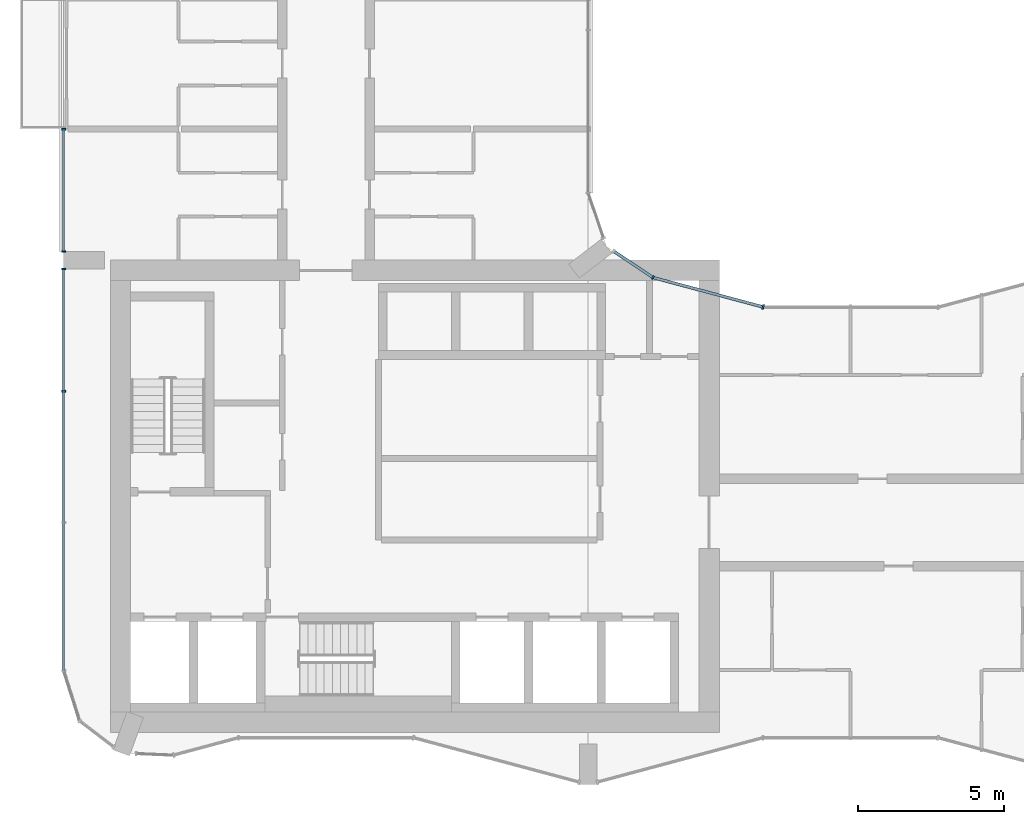
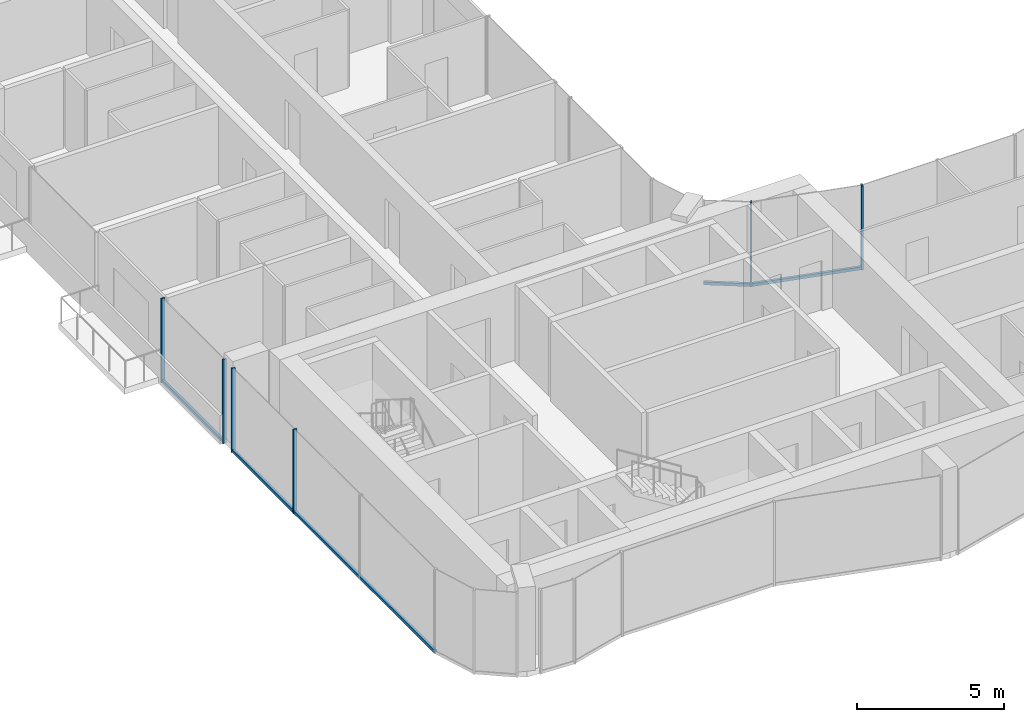
# One storey, part 3 of 23: 10 members, 4 elements without a shape of their own.
"""IFC4 building model written with IfcOpenShell, lengths in metres."""

from ifc_helpers import new_model, si_unit, direction, frame, origin, origin_2d, place, context, subcontext, project, spatial, rectangle, extrude, material, layer, layer_set, material_profile, profile_set, type_object, element, aggregate, save


model = new_model("IFC4")

# Units and contexts
model_context = context("Model", 3, precision=1e-05, world=origin(), true_north=direction((0.0, 1.0)))
body_context = subcontext(model_context, "Body", "Model", "MODEL_VIEW")
ifc_project = project(units=[si_unit("LENGTHUNIT", "METRE"), si_unit("AREAUNIT", "SQUARE_METRE"), si_unit("VOLUMEUNIT", "CUBIC_METRE"), si_unit("PLANEANGLEUNIT", "RADIAN"), si_unit("MASSUNIT", "GRAM", prefix="KILO")], contexts=[model_context])

# Site, building, storey
site_placement = place(None, origin())
site = spatial("IfcSite", under=ifc_project, at=site_placement, CompositionType="ELEMENT")
building_placement = place(site_placement, origin())
building = spatial("IfcBuilding", under=site, at=building_placement, Name="Plateau Cross Towers", CompositionType="ELEMENT")
storey_placement = place(building_placement, frame((0.0, 0.0, 92.300048828125)))
storey = spatial("IfcBuildingStorey", under=building, at=storey_placement, Name="L23", CompositionType="ELEMENT", Elevation=92.300048828125)

# Curtain wall, member
ifc_material_1 = material(Name="Dark low-iron glass", Category="glass")
ifc_layer_1 = layer(ifc_material_1, 0.239990234375)
ifc_layer_set_1 = layer_set([ifc_layer_1], Name="Dark low-iron glass")
curtain_wall_type_1 = type_object("IfcCurtainWallType", Name="Curtain wall flush unitised CW-B", PredefinedType="NOTDEFINED", material=ifc_layer_set_1)
curtain_wall_1_placement = place(storey_placement, origin())
curtain_wall_1 = element("IfcCurtainWall", 1, at=curtain_wall_1_placement, inside=storey, type_object=curtain_wall_type_1, Name="ENV/A/L23/A202_174", PredefinedType="NOTDEFINED")
ifc_material_2 = material(Name="Black anodised aluminium", Category="aluminium")
ifc_material_profile_1 = material_profile(ifc_material_2, rectangle(XDim=0.06005859375, YDim=0.139892578125, at=origin_2d()), Name="MULLION 60x140")
ifc_profile_set_1 = profile_set([ifc_material_profile_1], Name="Black anodised aluminium")
member_type_1 = type_object("IfcMemberType", Name="Mullion 60x140 flush unitised", PredefinedType="MULLION", material=ifc_profile_set_1)
member_1_placement = place(storey_placement, frame((20.223876953125, 17.404296875, -0.25), z_axis=(0.0, 0.0, 1.0), x_axis=(-0.831521253329, 0.555492938984, 0.0)))
member_1 = element("IfcMember", 2, at=member_1_placement, type_object=member_type_1, Name="CW-B mullion 1", PredefinedType="MULLION", context=body_context, shape_type="SweptSolid", body=[
    extrude(rectangle(XDim=0.06005859375, YDim=0.139892578125, at=origin_2d()), origin(), (0.0, 0.0, 1.0), 3.5),
])

# Curtain wall, members
curtain_wall_2_placement = place(storey_placement, origin())
curtain_wall_2 = element("IfcCurtainWall", 3, at=curtain_wall_2_placement, inside=storey, type_object=curtain_wall_type_1, Name="ENV/A/L23/A0_225", PredefinedType="NOTDEFINED")
member_2_placement = place(storey_placement, frame((0.0, 22.489990234375, -0.25), z_axis=(0.0, 0.0, 1.0), x_axis=(0.0, -1.0, 0.0)))
member_2 = element("IfcMember", 4, at=member_2_placement, type_object=member_type_1, Name="CW-B mullion 1", PredefinedType="MULLION", context=body_context, shape_type="SweptSolid", body=[
    extrude(rectangle(XDim=0.06005859375, YDim=0.139892578125, at=origin_2d()), origin(), (0.0, 0.0, 1.0), 3.5),
])
member_3_placement = place(storey_placement, frame((0.0, 18.300048828125, -0.25), z_axis=(0.0, 0.0, 1.0), x_axis=(0.0, -1.0, 0.0)))
member_3 = element("IfcMember", 5, at=member_3_placement, type_object=member_type_1, Name="CW-B mullion 2", PredefinedType="MULLION", context=body_context, shape_type="SweptSolid", body=[
    extrude(rectangle(XDim=0.06005859375, YDim=0.139892578125, at=origin_2d()), origin(), (0.0, 0.0, 1.0), 3.5),
])

curtain_wall_3_placement = place(storey_placement, origin())
curtain_wall_3 = element("IfcCurtainWall", 6, at=curtain_wall_3_placement, inside=storey, type_object=curtain_wall_type_1, Name="ENV/A/L23/A0_177", PredefinedType="NOTDEFINED")
member_4_placement = place(storey_placement, frame((0.0, 17.699951171875, -0.25), z_axis=(0.0, 0.0, 1.0), x_axis=(0.0, -1.0, 0.0)))
member_4 = element("IfcMember", 7, at=member_4_placement, type_object=member_type_1, Name="CW-B mullion 1", PredefinedType="MULLION", context=body_context, shape_type="SweptSolid", body=[
    extrude(rectangle(XDim=0.06005859375, YDim=0.139892578125, at=origin_2d()), origin(), (0.0, 0.0, 1.0), 3.5),
])
member_5_placement = place(storey_placement, frame((0.0, 13.5, -0.25), z_axis=(0.0, 0.0, 1.0), x_axis=(0.0, -1.0, 0.0)))
member_5 = element("IfcMember", 8, at=member_5_placement, type_object=member_type_1, Name="CW-B mullion 2", PredefinedType="MULLION", context=body_context, shape_type="SweptSolid", body=[
    extrude(rectangle(XDim=0.06005859375, YDim=0.139892578125, at=origin_2d()), origin(), (0.0, 0.0, 1.0), 3.5),
])

# Curtain wall, member
ifc_layer_2 = layer(ifc_material_1, 0.260009765625)
ifc_layer_set_2 = layer_set([ifc_layer_2], Name="Dark low-iron glass")
curtain_wall_type_2 = type_object("IfcCurtainWallType", Name="Curtain wall fluted unitised CW-A", PredefinedType="NOTDEFINED", material=ifc_layer_set_2)
curtain_wall_4_placement = place(storey_placement, origin())
curtain_wall_4 = element("IfcCurtainWall", 9, at=curtain_wall_4_placement, inside=storey, type_object=curtain_wall_type_2, Name="ENV/A/L23/A240_164", PredefinedType="NOTDEFINED")
ifc_material_profile_2 = material_profile(ifc_material_2, rectangle(XDim=0.06005859375, YDim=0.159912109375, at=origin_2d()), Name="MULLION 60x160")
ifc_profile_set_2 = profile_set([ifc_material_profile_2], Name="Black anodised aluminium")
member_type_2 = type_object("IfcMemberType", Name="Mullion 60x160 fluted unitised", PredefinedType="MULLION", material=ifc_profile_set_2)
member_6_placement = place(storey_placement, frame((24.0, 16.39306640625, -0.25), z_axis=(0.0, 0.0, 1.0), x_axis=(-0.965957995816, 0.258698956933, 0.0)))
member_6 = element("IfcMember", 10, at=member_6_placement, type_object=member_type_2, Name="CW-A mullion 1", PredefinedType="MULLION", context=body_context, shape_type="SweptSolid", body=[
    extrude(rectangle(XDim=0.06005859375, YDim=0.159912109375, at=origin_2d()), origin(), (0.0, 0.0, 1.0), 3.5),
])

# Member
ifc_material_profile_3 = material_profile(ifc_material_2, rectangle(XDim=0.10009765625, YDim=0.1201171875, at=origin_2d()), Name="TRANSOM 100x120")
ifc_profile_set_3 = profile_set([ifc_material_profile_3], Name="Black anodised aluminium")
member_type_3 = type_object("IfcMemberType", Name="Transom 100x120 flush unitised", PredefinedType="USERDEFINED", material=ifc_profile_set_3)
member_7_placement = place(storey_placement, frame((20.223876953125, 17.404296875, -0.18994140625), z_axis=(-0.831496402487, 0.555530136582, 0.0), x_axis=(-0.555530136582, -0.831496402487, 0.0)))
member_7 = element("IfcMember", 11, at=member_7_placement, type_object=member_type_3, Name="CW-B transom", ObjectType="TRANSOM", PredefinedType="USERDEFINED", context=body_context, shape_type="SweptSolid", body=[
    extrude(rectangle(XDim=0.10009765625, YDim=0.1201171875, at=origin_2d()), origin(), (0.0, 0.0, 1.0), 1.628662109375),
])

aggregate(curtain_wall_1, [member_1, member_7])

member_8_placement = place(storey_placement, frame((0.0, 22.489990234375, -0.18994140625), z_axis=(0.0, -1.0, 0.0), x_axis=(1.0, 0.0, 0.0)))
member_8 = element("IfcMember", 12, at=member_8_placement, type_object=member_type_3, Name="CW-B transom", ObjectType="TRANSOM", PredefinedType="USERDEFINED", context=body_context, shape_type="SweptSolid", body=[
    extrude(rectangle(XDim=0.10009765625, YDim=0.1201171875, at=origin_2d()), origin(), (0.0, 0.0, 1.0), 4.18994140625),
])

aggregate(curtain_wall_2, [member_2, member_3, member_8])

member_9_placement = place(storey_placement, frame((0.0, 17.699951171875, -0.18994140625), z_axis=(0.0, -1.0, 0.0), x_axis=(1.0, 0.0, 0.0)))
member_9 = element("IfcMember", 13, at=member_9_placement, type_object=member_type_3, Name="CW-B transom", ObjectType="TRANSOM", PredefinedType="USERDEFINED", context=body_context, shape_type="SweptSolid", body=[
    extrude(rectangle(XDim=0.10009765625, YDim=0.1201171875, at=origin_2d()), origin(), (0.0, 0.0, 1.0), 13.790771484375),
])

aggregate(curtain_wall_3, [member_4, member_5, member_9])

ifc_material_profile_4 = material_profile(ifc_material_2, rectangle(XDim=0.10009765625, YDim=0.1201171875, at=origin_2d()), Name="TRANSOM 100x120")
ifc_profile_set_4 = profile_set([ifc_material_profile_4], Name="Black anodised aluminium")
member_type_4 = type_object("IfcMemberType", Name="Transom 100x120 fluted unitised", PredefinedType="USERDEFINED", material=ifc_profile_set_4)
member_10_placement = place(storey_placement, frame((24.0, 16.39306640625, -0.18994140625), z_axis=(-0.965962822393, 0.25868093427, 0.0), x_axis=(-0.25868093427, -0.965962822393, 0.0)))
member_10 = element("IfcMember", 14, at=member_10_placement, type_object=member_type_4, Name="CW-A transom", ObjectType="TRANSOM", PredefinedType="USERDEFINED", context=body_context, shape_type="SweptSolid", body=[
    extrude(rectangle(XDim=0.10009765625, YDim=0.1201171875, at=origin_2d()), origin(), (0.0, 0.0, 1.0), 3.9091796875),
])

aggregate(curtain_wall_4, [member_6, member_10])

save(model, "model.ifc")
